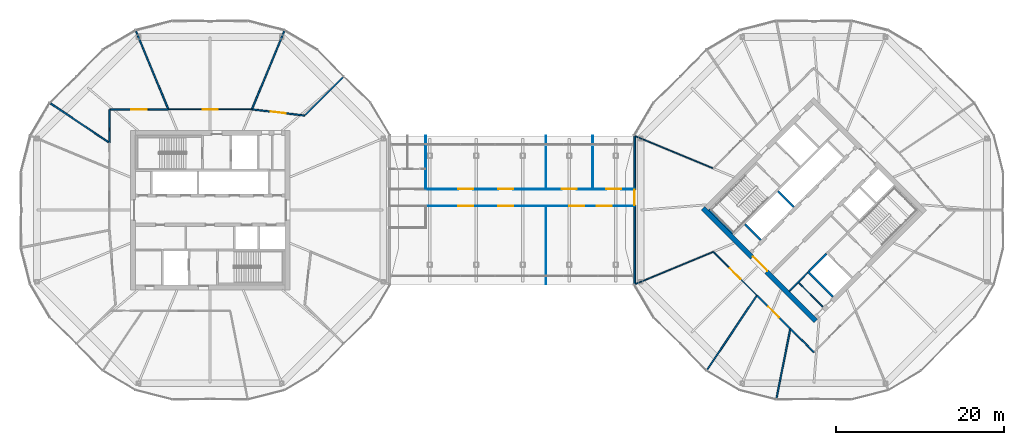
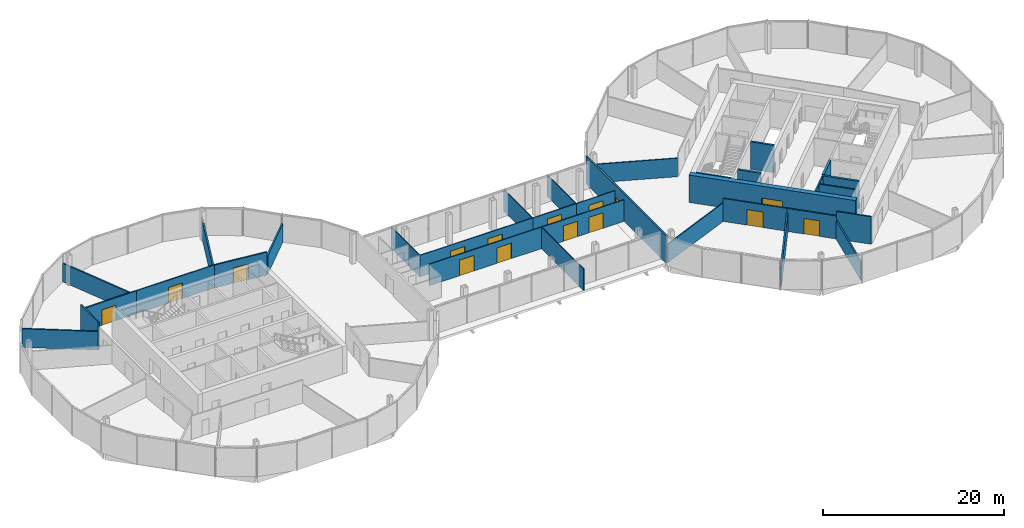
# One storey, part 21 of 25: 34 walls, 15 doors, 15 openings.
"""IFC4 building model written with IfcOpenShell, lengths in metres."""

import ifcopenshell
import ifcopenshell.guid

model = None  # the IFC model being written
_history = None  # IfcOwnerHistory: only IFC2X3 demands one
_inside = {}  # id of a spatial element -> (the spatial element, [elements in it])
_under = {}  # id of a project, library or spatial element -> (it, [spatial elements below it])
_declared = {}  # id of a project -> (the project, [libraries it declares])
_typed = {}  # id of a type object -> (the type object, [elements of that type])
_made_of = {}  # id of a material, layer set ... -> (it, [elements and type objects made of it])


def new_model(schema):
    """Start an empty IFC model of exactly this schema.

    Asked for "IFC4X3", IfcOpenShell would pick the latest addendum, in which some entities
    have other attributes; the version numbers below select the first issue.
    IFC2X3 requires an IfcOwnerHistory on every rooted entity: one is made here for all.
    """
    global model, _history
    if schema == "IFC4X3":
        model = ifcopenshell.file(schema_version=(4, 3, 0, 0))
    else:
        model = ifcopenshell.file(schema=schema)
    _inside.clear()
    _under.clear()
    _declared.clear()
    _typed.clear()
    _made_of.clear()
    _history = None
    if model.schema == "IFC2X3":
        org = make("IfcOrganization", Name="unknown")
        user = make(
            "IfcPersonAndOrganization",
            ThePerson=make("IfcPerson", FamilyName="unknown"),
            TheOrganization=org,
        )
        app = make(
            "IfcApplication",
            ApplicationDeveloper=org,
            Version="unknown",
            ApplicationFullName="unknown",
            ApplicationIdentifier="unknown",
        )
        _history = make(
            "IfcOwnerHistory",
            OwningUser=user,
            OwningApplication=app,
            ChangeAction="ADDED",
            CreationDate=0,
        )
    return model


def make(cls, **values):
    """One entity of the class cls with the attributes given. An attribute that is None is left unset."""
    return model.create_entity(
        cls, **{name: value for name, value in values.items() if value is not None}
    )


def rooted(cls, **values):
    """An entity with a GlobalId (a new one), such as an element, a storey or a relation."""
    return make(cls, GlobalId=ifcopenshell.guid.new(), OwnerHistory=_history, **values)


def si_unit(unit_type, name, prefix=None):
    """IfcSIUnit, for example si_unit("LENGTHUNIT", "METRE", prefix="MILLI")."""
    return make("IfcSIUnit", UnitType=unit_type, Prefix=prefix, Name=name)


def assignment(units):
    """IfcUnitAssignment: the units of a project."""
    return None if units is None else make("IfcUnitAssignment", Units=units)


def point(xyz):
    """IfcCartesianPoint."""
    return None if xyz is None else make("IfcCartesianPoint", Coordinates=xyz)


def direction(xyz):
    """IfcDirection."""
    return None if xyz is None else make("IfcDirection", DirectionRatios=xyz)


def frame(location, z_axis=None, x_axis=None):
    """IfcAxis2Placement3D, a coordinate frame: its origin and axes. An axis left out is left unset."""
    return make(
        "IfcAxis2Placement3D",
        Location=point(location),
        Axis=direction(z_axis),
        RefDirection=direction(x_axis),
    )


def frame_2d(location, x_axis=None):
    """IfcAxis2Placement2D, a coordinate frame in the plane: its origin and x axis."""
    return make(
        "IfcAxis2Placement2D", Location=point(location), RefDirection=direction(x_axis)
    )


def origin():
    """The frame at (0, 0, 0) with its axes left unset."""
    return frame((0.0, 0.0, 0.0))


def place(relative_to, where):
    """IfcLocalPlacement: puts the frame where relative to a parent placement (None: the world)."""
    return make(
        "IfcLocalPlacement", PlacementRelTo=relative_to, RelativePlacement=where
    )


def context(
    kind, dimensions, precision=None, world=None, true_north=None, identifier=None
):
    """IfcGeometricRepresentationContext, for example the 3D "Model" context."""
    return make(
        "IfcGeometricRepresentationContext",
        ContextIdentifier=identifier,
        ContextType=kind,
        CoordinateSpaceDimension=dimensions,
        Precision=precision,
        WorldCoordinateSystem=world,
        TrueNorth=true_north,
    )


def subcontext(parent, identifier, kind, view, scale=None):
    """IfcGeometricRepresentationSubContext, for example "Body" below "Model"."""
    return make(
        "IfcGeometricRepresentationSubContext",
        ContextIdentifier=identifier,
        ContextType=kind,
        ParentContext=parent,
        TargetScale=scale,
        TargetView=view,
    )


def project(units=None, contexts=None):
    """IfcProject with its units and contexts."""
    return rooted(
        "IfcProject",
        Name="project",
        RepresentationContexts=contexts,
        UnitsInContext=assignment(units),
    )


def spatial(cls, under=None, at=None, **own):
    """A site, building, storey or space (cls), placed at a placement, below another one or the project."""
    s = rooted(cls, ObjectPlacement=at, **own)
    if under is not None:
        _under.setdefault(under.id(), (under, []))[1].append(s)
    return s


def profile(cls, at=None, kind="AREA", **sizes):
    """A parametric profile (cls). Its sizes go by their IFC names, for example OverallWidth=200.0."""
    return make(cls, ProfileType=kind, Position=at, **sizes)


def rectangle(**sizes):
    """IfcRectangleProfileDef."""
    return profile("IfcRectangleProfileDef", **sizes)


def extrude(swept, where, along, depth):
    """IfcExtrudedAreaSolid: the profile swept, set in the frame where, extruded along a direction by depth."""
    return make(
        "IfcExtrudedAreaSolid",
        SweptArea=swept,
        Position=where,
        ExtrudedDirection=direction(along),
        Depth=depth,
    )


def shape(context_of_items, identifier, shape_type, items):
    """IfcShapeRepresentation: the items that make up one representation, for example the "Body"."""
    return make(
        "IfcShapeRepresentation",
        ContextOfItems=context_of_items,
        RepresentationIdentifier=identifier,
        RepresentationType=shape_type,
        Items=items,
    )


def material(Name=None, Category=None):
    """IfcMaterial."""
    return make("IfcMaterial", Name=Name, Category=Category)


def layer(
    of_material, thickness, ventilated=None, Name=None, Category=None, Priority=None
):
    """IfcMaterialLayer: one layer of a wall or slab, of a material (None: an air gap)."""
    return make(
        "IfcMaterialLayer",
        Material=of_material,
        LayerThickness=thickness,
        IsVentilated=ventilated,
        Name=Name,
        Category=Category,
        Priority=Priority,
    )


def layer_set(layers, Name=None):
    """IfcMaterialLayerSet."""
    return make("IfcMaterialLayerSet", MaterialLayers=layers, LayerSetName=Name)


def made_of(thing, what):
    """Note that an element or type object is made of a material, layer set ...; save() writes the relation."""
    if what is not None:
        _made_of.setdefault(what.id(), (what, []))[1].append(thing)
    return thing


def type_object(cls, material=None, **own):
    """A type object (cls), such as IfcWallType, which elements share."""
    return made_of(rooted(cls, **own), material)


def element(
    cls,
    number,
    at=None,
    inside=None,
    cuts=None,
    type_object=None,
    material=None,
    context=None,
    identifier="Body",
    shape_type=None,
    held_by="IfcProductDefinitionShape",
    body=None,
    shapes=None,
    **own,
):
    """One element of the class cls, such as IfcWall. Its Tag is "e" and its number.

    at: its placement. inside: the storey or other place that contains it. cuts: it is an
    opening in that element (IfcRelVoidsElement). A single representation is given by context,
    identifier, shape_type and body (its items); several are given by shapes. held_by: the class
    of the entity that holds the representations. save() writes the other relations.
    """
    e = rooted(cls, Tag="e%d" % number, ObjectPlacement=at, **own)
    if body is not None:
        shapes = [shape(context, identifier, shape_type, body)]
    if shapes is not None:
        e.Representation = make(held_by, Representations=shapes)
    if inside is not None:
        _inside.setdefault(inside.id(), (inside, []))[1].append(e)
    if cuts is not None:
        rooted(
            "IfcRelVoidsElement", RelatingBuildingElement=cuts, RelatedOpeningElement=e
        )
    if type_object is not None:
        _typed.setdefault(type_object.id(), (type_object, []))[1].append(e)
    return made_of(e, material)


def fill(opening, filler):
    """IfcRelFillsElement: the door or window that sits in an opening."""
    return rooted(
        "IfcRelFillsElement",
        RelatingOpeningElement=opening,
        RelatedBuildingElement=filler,
    )


def aggregate(whole, parts):
    """IfcRelAggregates: a whole, such as a stair, and the parts it consists of."""
    return rooted("IfcRelAggregates", RelatingObject=whole, RelatedObjects=parts)


def save(model, path):
    """Write the relations noted so far, then the file.

    IfcRelAggregates (storeys below a building ...), IfcRelContainedInSpatialStructure (elements
    in a storey), IfcRelDefinesByType, IfcRelAssociatesMaterial and IfcRelDeclares: one each for
    every whole, place, type object, material and project.
    """
    for whole, parts in _under.values():
        aggregate(whole, parts)
    for where, things in _inside.values():
        rooted(
            "IfcRelContainedInSpatialStructure",
            RelatedElements=things,
            RelatingStructure=where,
        )
    for kind, things in _typed.values():
        rooted("IfcRelDefinesByType", RelatedObjects=things, RelatingType=kind)
    for what, things in _made_of.values():
        rooted("IfcRelAssociatesMaterial", RelatedObjects=things, RelatingMaterial=what)
    for by, libraries in _declared.values():
        rooted("IfcRelDeclares", RelatingContext=by, RelatedDefinitions=libraries)
    model.write(path)


model = new_model("IFC4")

# Units and contexts
model_context = context("Model", 3, precision=1e-05, world=origin(), true_north=direction((0.0, 1.0)))
body_context = subcontext(model_context, "Body", "Model", "MODEL_VIEW")
ifc_project = project(units=[si_unit("LENGTHUNIT", "METRE"), si_unit("AREAUNIT", "SQUARE_METRE"), si_unit("VOLUMEUNIT", "CUBIC_METRE"), si_unit("PLANEANGLEUNIT", "RADIAN"), si_unit("MASSUNIT", "GRAM", prefix="KILO")], contexts=[model_context])

# Site, building, storey
site_placement = place(None, origin())
site = spatial("IfcSite", under=ifc_project, at=site_placement, CompositionType="ELEMENT")
building_placement = place(site_placement, origin())
building = spatial("IfcBuilding", under=site, at=building_placement, Name="Ogive Gate Towers", CompositionType="ELEMENT")
storey_placement = place(building_placement, frame((0.0, 0.0, 152.800048828125)))
storey = spatial("IfcBuildingStorey", under=building, at=storey_placement, Name="L36", CompositionType="ELEMENT", Elevation=152.800048828125)

# Walls
ifc_material_1 = material(Name="Gypsum board acoustic partition")
ifc_layer_1 = layer(ifc_material_1, 0.175048828125)
ifc_layer_set_1 = layer_set([ifc_layer_1], Name="Acoustic partition 175")
wall_type_1 = type_object("IfcWallType", Name="Acoustic partition 175", PredefinedType="PARTITIONING", material=ifc_layer_set_1)
wall_1_placement = place(storey_placement, frame((-20.140380859375, 15.859619140625, 0.0), z_axis=(0.0, 0.0, 1.0), x_axis=(-0.707106781187, -0.707106781187, 0.0)))
element("IfcWall", 1, at=wall_1_placement, inside=storey, type_object=wall_type_1, Name="Partition T1-L36-001", PredefinedType="PARTITIONING", context=body_context, shape_type="SweptSolid", body=[
    extrude(rectangle(XDim=6.3916015625, YDim=0.175048828125, at=frame_2d((3.19580078125, 0.0))), origin(), (0.0, 0.0, 1.0), 2.5),
])
for number, where, z_axis, x_axis, name in (
    (2, (-27.148681640625, 21.369384765625, 0.0), (0.0, 0.0, 1.0), (-0.382668881355, -0.923885559603, 0.0), "Partition T1-L36-002"),
    (3, (-44.851318359375, 21.369384765625, 0.0), (0.0, 0.0, 1.0), (0.382668881355, -0.923885559603, 0.0), "Partition T1-L36-003"),
):
    element("IfcWall", number, at=place(storey_placement, frame(where, z_axis=z_axis, x_axis=x_axis)), inside=storey, type_object=wall_type_1, Name=name, PredefinedType="PARTITIONING", context=body_context, shape_type="SweptSolid", body=[
        extrude(rectangle(XDim=10.04150390625, YDim=0.175048828125, at=frame_2d((5.020751953125, 0.0))), origin(), (0.0, 0.0, 1.0), 2.5),
    ])
wall_2_placement = place(storey_placement, frame((-55.060791015625, 12.74560546875, 0.0), z_axis=(0.0, 0.0, 1.0), x_axis=(0.831270653134, -0.5558678811, 0.0)))
element("IfcWall", 4, at=wall_2_placement, inside=storey, type_object=wall_type_1, Name="Partition T1-L36-004", PredefinedType="PARTITIONING", context=body_context, shape_type="SweptSolid", body=[
    extrude(rectangle(XDim=8.391357421875, YDim=0.175048828125, at=frame_2d((4.19580078125, 0.0))), origin(), (0.0, 0.0, 1.0), 2.5),
])

# Wall, opening, door
wall_3_placement = place(storey_placement, frame((-24.7216796875, 11.2783203125, 0.0), z_axis=(0.0, 0.0, 1.0), x_axis=(-0.993302862761, 0.1155397024, 0.0)))
wall_3 = element("IfcWall", 5, at=wall_3_placement, inside=storey, type_object=wall_type_1, Name="Partition T1-L36-012", PredefinedType="PARTITIONING", context=body_context, shape_type="SweptSolid", body=[
    extrude(rectangle(XDim=6.345458984375, YDim=0.175048828125, at=frame_2d((3.1728515625, 0.0))), origin(), (0.0, 0.0, 1.0), 3.099853515625),
])
opening_1_placement = place(wall_3_placement, frame((2.27294921875, 0.0, 0.0)))
opening_1 = element("IfcOpeningElement", 6, at=opening_1_placement, cuts=wall_3, Name="Opening T1-L36-D01", PredefinedType="OPENING", context=body_context, shape_type="SweptSolid", body=[
    extrude(rectangle(XDim=1.800048828125, YDim=2.10009765625, at=frame_2d((0.89990234375, 1.050048828125))), frame((0.0, 0.09765625, 0.0), z_axis=(0.0, -1.0, 0.0), x_axis=(1.0, 0.0, 0.0)), (0.0, 0.0, 1.0), 0.195068359375),
])
ifc_material_2 = material(Name="Timber door", Category="wood")
door_type_1 = type_object("IfcDoorType", Name="Door pair 1800", OperationType="NOTDEFINED", PredefinedType="DOOR", material=ifc_material_2)
door_1_placement = place(opening_1_placement, origin())
door_1 = element("IfcDoor", 7, at=door_1_placement, inside=storey, type_object=door_type_1, Name="Door T1-L36-D01", OperationType="DOUBLE_DOOR_DOUBLE_SWING", OverallHeight=2.10009765625, OverallWidth=1.800048828125, PredefinedType="DOOR", context=body_context, shape_type="SweptSolid", body=[
    extrude(rectangle(XDim=1.800048828125, YDim=2.10009765625, at=frame_2d((0.89990234375, 1.050048828125))), frame((0.0, 0.02490234375, 0.0), z_axis=(0.0, -1.0, 0.0), x_axis=(1.0, 0.0, 0.0)), (0.0, 0.0, 1.0), 0.050048828125),
])
fill(opening_1, door_1)

wall_4_placement = place(storey_placement, frame((-40.975341796875, 12.011474609375, 0.0), z_axis=(0.0, 0.0, 1.0), x_axis=(-0.99998989232, -0.004496138026, 0.0)))
wall_4 = element("IfcWall", 8, at=wall_4_placement, inside=storey, type_object=wall_type_1, Name="Partition T1-L36-014", PredefinedType="PARTITIONING", context=body_context, shape_type="SweptSolid", body=[
    extrude(rectangle(XDim=7.004638671875, YDim=0.175048828125, at=frame_2d((3.50244140625, 0.0))), origin(), (0.0, 0.0, 1.0), 3.099853515625),
])
opening_2_placement = place(wall_4_placement, frame((2.60205078125, 0.0, 0.0)))
opening_2 = element("IfcOpeningElement", 9, at=opening_2_placement, cuts=wall_4, Name="Opening T1-L36-D03", PredefinedType="OPENING", context=body_context, shape_type="SweptSolid", body=[
    extrude(rectangle(XDim=1.800048828125, YDim=2.10009765625, at=frame_2d((0.89990234375, 1.050048828125))), frame((0.0, 0.09765625, 0.0), z_axis=(0.0, -1.0, 0.0), x_axis=(1.0, 0.0, 0.0)), (0.0, 0.0, 1.0), 0.195068359375),
])
door_2_placement = place(opening_2_placement, origin())
door_2 = element("IfcDoor", 10, at=door_2_placement, inside=storey, type_object=door_type_1, Name="Door T1-L36-D03", OperationType="DOUBLE_DOOR_DOUBLE_SWING", OverallHeight=2.10009765625, OverallWidth=1.800048828125, PredefinedType="DOOR", context=body_context, shape_type="SweptSolid", body=[
    extrude(rectangle(XDim=1.800048828125, YDim=2.10009765625, at=frame_2d((0.89990234375, 1.050048828125))), frame((0.0, 0.02490234375, 0.0), z_axis=(0.0, -1.0, 0.0), x_axis=(1.0, 0.0, 0.0)), (0.0, 0.0, 1.0), 0.050048828125),
])
fill(opening_2, door_2)

# Walls
wall_5_placement = place(storey_placement, frame((-47.97998046875, 11.97998046875, 0.0), z_axis=(0.0, 0.0, 1.0), x_axis=(-0.00822533866, -0.99996617133, 0.0)))
element("IfcWall", 11, at=wall_5_placement, inside=storey, type_object=wall_type_1, Name="Partition T1-L36-015", PredefinedType="PARTITIONING", context=body_context, shape_type="SweptSolid", body=[
    extrude(rectangle(XDim=3.94775390625, YDim=0.175048828125, at=frame_2d((1.973876953125, 0.0))), origin(), (0.0, 0.0, 1.0), 3.699951171875),
])
wall_6_placement = place(storey_placement, frame((23.25439453125, -19.060791015625, 0.0), z_axis=(0.0, 0.0, 1.0), x_axis=(0.555873003518, 0.831267227768, 0.0)))
element("IfcWall", 12, at=wall_6_placement, inside=storey, type_object=wall_type_1, Name="Partition T2-L36-008", PredefinedType="PARTITIONING", context=body_context, shape_type="SweptSolid", body=[
    extrude(rectangle(XDim=10.611572265625, YDim=0.175048828125, at=frame_2d((5.3056640625, 0.0))), origin(), (0.0, 0.0, 1.0), 2.5),
])
wall_7_placement = place(storey_placement, frame((31.5341796875, -22.490478515625, 0.0), z_axis=(0.0, 0.0, 1.0), x_axis=(0.194781953028, 0.980846568417, 0.0)))
element("IfcWall", 13, at=wall_7_placement, inside=storey, type_object=wall_type_1, Name="Partition T2-L36-009", PredefinedType="PARTITIONING", context=body_context, shape_type="SweptSolid", body=[
    extrude(rectangle(XDim=8.41162109375, YDim=0.175048828125, at=frame_2d((4.205810546875, 0.0))), origin(), (0.0, 0.0, 1.0), 2.5),
])

# Wall, opening, door
wall_8_placement = place(storey_placement, frame((29.20166015625, -10.1669921875, 0.0), z_axis=(0.0, 0.0, 1.0), x_axis=(0.707150072997, -0.707063486726, 0.0)))
wall_8 = element("IfcWall", 14, at=wall_8_placement, inside=storey, type_object=wall_type_1, Name="Partition T2-L36-013", PredefinedType="PARTITIONING", context=body_context, shape_type="SweptSolid", body=[
    extrude(rectangle(XDim=5.63916015625, YDim=0.175048828125, at=frame_2d((2.819580078125, 0.0))), origin(), (0.0, 0.0, 1.0), 3.099853515625),
])
opening_3_placement = place(wall_8_placement, frame((1.919921875, 0.0, 0.0)))
opening_3 = element("IfcOpeningElement", 15, at=opening_3_placement, cuts=wall_8, Name="Opening T2-L36-D02", PredefinedType="OPENING", context=body_context, shape_type="SweptSolid", body=[
    extrude(rectangle(XDim=1.800048828125, YDim=2.10009765625, at=frame_2d((0.89990234375, 1.050048828125))), frame((0.0, 0.09765625, 0.0), z_axis=(0.0, -1.0, 0.0), x_axis=(1.0, 0.0, 0.0)), (0.0, 0.0, 1.0), 0.195068359375),
])
door_3_placement = place(opening_3_placement, origin())
door_3 = element("IfcDoor", 16, at=door_3_placement, inside=storey, type_object=door_type_1, Name="Door T2-L36-D02", OperationType="DOUBLE_DOOR_DOUBLE_SWING", OverallHeight=2.10009765625, OverallWidth=1.800048828125, PredefinedType="DOOR", context=body_context, shape_type="SweptSolid", body=[
    extrude(rectangle(XDim=1.800048828125, YDim=2.10009765625, at=frame_2d((0.89990234375, 1.050048828125))), frame((0.0, 0.02490234375, 0.0), z_axis=(0.0, -1.0, 0.0), x_axis=(1.0, 0.0, 0.0)), (0.0, 0.0, 1.0), 0.050048828125),
])
fill(opening_3, door_3)

# Wall
wall_9_placement = place(storey_placement, frame((33.189453125, -14.154296875, 0.0), z_axis=(0.0, 0.0, 1.0), x_axis=(0.709937882201, -0.704264299404, 0.0)))
element("IfcWall", 17, at=wall_9_placement, inside=storey, type_object=wall_type_1, Name="Partition T2-L36-015", PredefinedType="PARTITIONING", context=body_context, shape_type="SweptSolid", body=[
    extrude(rectangle(XDim=3.958984375, YDim=0.175048828125, at=frame_2d((1.9794921875, 0.0))), origin(), (0.0, 0.0, 1.0), 3.699951171875),
])

# Wall, opening, door
ifc_material_3 = material(Name="Concrete C60/75", Category="concrete")
ifc_layer_2 = layer(ifc_material_3, 0.60009765625)
ifc_layer_set_2 = layer_set([ifc_layer_2], Name="Core wall 600 mm")
wall_type_2 = type_object("IfcWallType", Name="Core wall 600 mm", PredefinedType="SHEAR", material=ifc_layer_set_2)
wall_10_placement = place(storey_placement, frame((36.212158203125, -13.222900390625, 0.0), z_axis=(0.0, 0.0, 1.0), x_axis=(-0.707106781187, 0.707106781187, 0.0)))
wall_10 = element("IfcWall", 18, at=wall_10_placement, inside=storey, type_object=wall_type_2, Name="T2 L36 Core wall 600 mm", PredefinedType="SHEAR", context=body_context, shape_type="SweptSolid", body=[
    extrude(rectangle(XDim=19.0, YDim=0.60009765625, at=frame_2d((9.5, 0.0))), origin(), (0.0, 0.0, 1.0), 3.699951171875),
])
opening_4_placement = place(wall_10_placement, frame((8.300048828125, 0.0, 0.0)))
opening_4 = element("IfcOpeningElement", 19, at=opening_4_placement, cuts=wall_10, Name="Opening KD-T2-L36-01", PredefinedType="OPENING", context=body_context, shape_type="SweptSolid", body=[
    extrude(rectangle(XDim=2.39990234375, YDim=2.10009765625, at=frame_2d((1.199951171875, 1.050048828125))), frame((0.0, 0.31005859375, 0.0), z_axis=(0.0, -1.0, 0.0), x_axis=(1.0, 0.0, 0.0)), (0.0, 0.0, 1.0), 0.6201171875),
])
ifc_material_4 = material(Name="Steel fire door", Category="steel")
door_type_2 = type_object("IfcDoorType", Name="Core double door FD60S 2400 x 2100", OperationType="DOUBLE_DOOR_SINGLE_SWING", PredefinedType="DOOR", material=ifc_material_4)
door_4_placement = place(opening_4_placement, origin())
door_4 = element("IfcDoor", 20, at=door_4_placement, inside=storey, type_object=door_type_2, Name="T2 L36 Core door double", OperationType="DOUBLE_DOOR_SINGLE_SWING", OverallHeight=2.10009765625, OverallWidth=2.39990234375, PredefinedType="DOOR", context=body_context, shape_type="SweptSolid", body=[
    extrude(rectangle(XDim=2.39990234375, YDim=2.10009765625, at=frame_2d((1.199951171875, 1.050048828125))), frame((0.0, -0.125, 0.0), z_axis=(0.0, -1.0, 0.0), x_axis=(1.0, 0.0, 0.0)), (0.0, 0.0, 1.0), 0.050048828125),
])
fill(opening_4, door_4)

ifc_material_5 = material(Name="Gypsum board partition")
ifc_layer_3 = layer(ifc_material_5, 0.125)
ifc_layer_set_3 = layer_set([ifc_layer_3], Name="Partition 125")
wall_type_3 = type_object("IfcWallType", Name="Partition 125", PredefinedType="PARTITIONING", material=ifc_layer_set_3)
wall_11_placement = place(storey_placement, frame((-31.024658203125, 12.011474609375, 0.0), z_axis=(0.0, 0.0, 1.0), x_axis=(-1.0, 0.0, 0.0)))
wall_11 = element("IfcWall", 21, at=wall_11_placement, inside=storey, type_object=wall_type_3, Name="Partition T1-L36-013", PredefinedType="PARTITIONING", context=body_context, shape_type="SweptSolid", body=[
    extrude(rectangle(XDim=9.95068359375, YDim=0.125, at=frame_2d((4.975341796875, 0.0))), origin(), (0.0, 0.0, 1.0), 3.099853515625),
])
opening_5_placement = place(wall_11_placement, frame((4.074951171875, 0.0, 0.0)))
opening_5 = element("IfcOpeningElement", 22, at=opening_5_placement, cuts=wall_11, Name="Opening T1-L36-D02", PredefinedType="OPENING", context=body_context, shape_type="SweptSolid", body=[
    extrude(rectangle(XDim=1.800048828125, YDim=2.10009765625, at=frame_2d((0.89990234375, 1.050048828125))), frame((0.0, 0.072509765625, 0.0), z_axis=(0.0, -1.0, 0.0), x_axis=(1.0, 0.0, 0.0)), (0.0, 0.0, 1.0), 0.14501953125),
])
door_5_placement = place(opening_5_placement, origin())
door_5 = element("IfcDoor", 23, at=door_5_placement, inside=storey, type_object=door_type_1, Name="Door T1-L36-D02", OperationType="DOUBLE_DOOR_DOUBLE_SWING", OverallHeight=2.10009765625, OverallWidth=1.800048828125, PredefinedType="DOOR", context=body_context, shape_type="SweptSolid", body=[
    extrude(rectangle(XDim=1.800048828125, YDim=2.10009765625, at=frame_2d((0.89990234375, 1.050048828125))), frame((0.0, 0.02490234375, 0.0), z_axis=(0.0, -1.0, 0.0), x_axis=(1.0, 0.0, 0.0)), (0.0, 0.0, 1.0), 0.050048828125),
])
fill(opening_5, door_5)

# Walls
for number, where, z_axis, x_axis, name in (
    (24, (14.730712890625, 8.81005859375, 0.0), (0.0, 0.0, 1.0), (0.923873389605, -0.382698262317, 0.0), "Partition T2-L36-006"),
    (25, (14.730712890625, -8.81005859375, 0.0), (0.0, 0.0, 1.0), (0.923873389605, 0.382698262317, 0.0), "Partition T2-L36-007"),
):
    element("IfcWall", number, at=place(storey_placement, frame(where, z_axis=z_axis, x_axis=x_axis)), inside=storey, type_object=wall_type_3, Name=name, PredefinedType="PARTITIONING", context=body_context, shape_type="SweptSolid", body=[
        extrude(rectangle(XDim=9.97802734375, YDim=0.125, at=frame_2d((4.989013671875, 0.0))), origin(), (0.0, 0.0, 1.0), 2.5),
    ])

# Wall, opening, door
wall_12_placement = place(storey_placement, frame((24.007080078125, -4.967529296875, 0.0), z_axis=(0.0, 0.0, 1.0), x_axis=(0.706774525447, -0.707438880879, 0.0)))
wall_12 = element("IfcWall", 26, at=wall_12_placement, inside=storey, type_object=wall_type_3, Name="Partition T2-L36-012", PredefinedType="PARTITIONING", context=body_context, shape_type="SweptSolid", body=[
    extrude(rectangle(XDim=7.349609375, YDim=0.125, at=frame_2d((3.6748046875, 0.0))), origin(), (0.0, 0.0, 1.0), 3.099853515625),
])
opening_6_placement = place(wall_12_placement, frame((2.77490234375, 0.0, 0.0)))
opening_6 = element("IfcOpeningElement", 27, at=opening_6_placement, cuts=wall_12, Name="Opening T2-L36-D01", PredefinedType="OPENING", context=body_context, shape_type="SweptSolid", body=[
    extrude(rectangle(XDim=1.800048828125, YDim=2.10009765625, at=frame_2d((0.89990234375, 1.050048828125))), frame((0.0, 0.072509765625, 0.0), z_axis=(0.0, -1.0, 0.0), x_axis=(1.0, 0.0, 0.0)), (0.0, 0.0, 1.0), 0.14501953125),
])
door_6_placement = place(opening_6_placement, origin())
door_6 = element("IfcDoor", 28, at=door_6_placement, inside=storey, type_object=door_type_1, Name="Door T2-L36-D01", OperationType="DOUBLE_DOOR_DOUBLE_SWING", OverallHeight=2.10009765625, OverallWidth=1.800048828125, PredefinedType="DOOR", context=body_context, shape_type="SweptSolid", body=[
    extrude(rectangle(XDim=1.800048828125, YDim=2.10009765625, at=frame_2d((0.89990234375, 1.050048828125))), frame((0.0, 0.02490234375, 0.0), z_axis=(0.0, -1.0, 0.0), x_axis=(1.0, 0.0, 0.0)), (0.0, 0.0, 1.0), 0.050048828125),
])
fill(opening_6, door_6)

# Wall, openings, doors
ifc_layer_4 = layer(ifc_material_5, 0.10009765625)
ifc_layer_set_4 = layer_set([ifc_layer_4], Name="Partition wall 100")
wall_type_4 = type_object("IfcWallType", Name="Partition wall 100", PredefinedType="PARTITIONING", material=ifc_layer_set_4)
wall_13_placement = place(storey_placement, frame((-10.280517578125, 2.5, 0.0), z_axis=(0.0, 0.0, 1.0), x_axis=(1.0, 0.0, 0.0)))
wall_13 = element("IfcWall", 29, at=wall_13_placement, inside=storey, type_object=wall_type_4, Name="L36 partition 003", PredefinedType="PARTITIONING", context=body_context, shape_type="SweptSolid", body=[
    extrude(rectangle(XDim=14.34130859375, YDim=0.10009765625, at=frame_2d((7.170654296875, 0.0))), origin(), (0.0, 0.0, 1.0), 2.89990234375),
])
opening_7_placement = place(wall_13_placement, frame((3.88232421875, 0.0, 0.0)))
opening_7 = element("IfcOpeningElement", 30, at=opening_7_placement, cuts=wall_13, Name="Opening PO272", PredefinedType="OPENING", context=body_context, shape_type="SweptSolid", body=[
    extrude(rectangle(XDim=1.800048828125, YDim=2.10009765625, at=frame_2d((0.89990234375, 1.050048828125))), frame((0.0, 0.06005859375, 0.0), z_axis=(0.0, -1.0, 0.0), x_axis=(1.0, 0.0, 0.0)), (0.0, 0.0, 1.0), 0.1201171875),
])
opening_8_placement = place(wall_13_placement, frame((8.65869140625, 0.0, 0.0)))
opening_8 = element("IfcOpeningElement", 31, at=opening_8_placement, cuts=wall_13, Name="Opening PO273", PredefinedType="OPENING", context=body_context, shape_type="SweptSolid", body=[
    extrude(rectangle(XDim=1.800048828125, YDim=2.10009765625, at=frame_2d((0.89990234375, 1.050048828125))), frame((0.0, 0.06005859375, 0.0), z_axis=(0.0, -1.0, 0.0), x_axis=(1.0, 0.0, 0.0)), (0.0, 0.0, 1.0), 0.1201171875),
])
door_type_3 = type_object("IfcDoorType", Name="Double door 1800 x 2100", OperationType="NOTDEFINED", PredefinedType="DOOR", material=ifc_material_2)
door_7_placement = place(opening_7_placement, origin())
door_7 = element("IfcDoor", 32, at=door_7_placement, inside=storey, type_object=door_type_3, Name="Door PO272", OperationType="DOUBLE_DOOR_DOUBLE_SWING", OverallHeight=2.10009765625, OverallWidth=1.800048828125, PredefinedType="DOOR", context=body_context, shape_type="SweptSolid", body=[
    extrude(rectangle(XDim=1.800048828125, YDim=2.10009765625, at=frame_2d((0.89990234375, 1.050048828125))), frame((0.0, 0.02490234375, 0.0), z_axis=(0.0, -1.0, 0.0), x_axis=(1.0, 0.0, 0.0)), (0.0, 0.0, 1.0), 0.050048828125),
])
fill(opening_7, door_7)
door_8_placement = place(opening_8_placement, origin())
door_8 = element("IfcDoor", 33, at=door_8_placement, inside=storey, type_object=door_type_3, Name="Door PO273", OperationType="DOUBLE_DOOR_DOUBLE_SWING", OverallHeight=2.10009765625, OverallWidth=1.800048828125, PredefinedType="DOOR", context=body_context, shape_type="SweptSolid", body=[
    extrude(rectangle(XDim=1.800048828125, YDim=2.10009765625, at=frame_2d((0.89990234375, 1.050048828125))), frame((0.0, 0.02490234375, 0.0), z_axis=(0.0, -1.0, 0.0), x_axis=(1.0, 0.0, 0.0)), (0.0, 0.0, 1.0), 0.050048828125),
])
fill(opening_8, door_8)

# Wall, opening, door
wall_14_placement = place(storey_placement, frame((4.060791015625, 2.5, 0.0), z_axis=(0.0, 0.0, 1.0), x_axis=(1.0, 0.0, 0.0)))
wall_14 = element("IfcWall", 34, at=wall_14_placement, inside=storey, type_object=wall_type_4, Name="L36 partition 004", PredefinedType="PARTITIONING", context=body_context, shape_type="SweptSolid", body=[
    extrude(rectangle(XDim=5.556396484375, YDim=0.10009765625, at=frame_2d((2.7783203125, 0.0))), origin(), (0.0, 0.0, 1.0), 2.89990234375),
])
opening_9_placement = place(wall_14_placement, frame((1.878173828125, 0.0, 0.0)))
opening_9 = element("IfcOpeningElement", 35, at=opening_9_placement, cuts=wall_14, Name="Opening PO274", PredefinedType="OPENING", context=body_context, shape_type="SweptSolid", body=[
    extrude(rectangle(XDim=1.800048828125, YDim=2.10009765625, at=frame_2d((0.89990234375, 1.050048828125))), frame((0.0, 0.06005859375, 0.0), z_axis=(0.0, -1.0, 0.0), x_axis=(1.0, 0.0, 0.0)), (0.0, 0.0, 1.0), 0.1201171875),
])
door_9_placement = place(opening_9_placement, origin())
door_9 = element("IfcDoor", 36, at=door_9_placement, inside=storey, type_object=door_type_3, Name="Door PO274", OperationType="DOUBLE_DOOR_DOUBLE_SWING", OverallHeight=2.10009765625, OverallWidth=1.800048828125, PredefinedType="DOOR", context=body_context, shape_type="SweptSolid", body=[
    extrude(rectangle(XDim=1.800048828125, YDim=2.10009765625, at=frame_2d((0.89990234375, 1.050048828125))), frame((0.0, 0.02490234375, 0.0), z_axis=(0.0, -1.0, 0.0), x_axis=(1.0, 0.0, 0.0)), (0.0, 0.0, 1.0), 0.050048828125),
])
fill(opening_9, door_9)

wall_15_placement = place(storey_placement, frame((9.6171875, 2.5, 0.0), z_axis=(0.0, 0.0, 1.0), x_axis=(1.0, 0.0, 0.0)))
wall_15 = element("IfcWall", 37, at=wall_15_placement, inside=storey, type_object=wall_type_4, Name="L36 partition 005", PredefinedType="PARTITIONING", context=body_context, shape_type="SweptSolid", body=[
    extrude(rectangle(XDim=5.013427734375, YDim=0.10009765625, at=frame_2d((2.5068359375, 0.0))), origin(), (0.0, 0.0, 1.0), 2.89990234375),
])
opening_10_placement = place(wall_15_placement, frame((1.606689453125, 0.0, 0.0)))
opening_10 = element("IfcOpeningElement", 38, at=opening_10_placement, cuts=wall_15, Name="Opening PO275", PredefinedType="OPENING", context=body_context, shape_type="SweptSolid", body=[
    extrude(rectangle(XDim=1.800048828125, YDim=2.10009765625, at=frame_2d((0.89990234375, 1.050048828125))), frame((0.0, 0.06005859375, 0.0), z_axis=(0.0, -1.0, 0.0), x_axis=(1.0, 0.0, 0.0)), (0.0, 0.0, 1.0), 0.1201171875),
])
door_10_placement = place(opening_10_placement, origin())
door_10 = element("IfcDoor", 39, at=door_10_placement, inside=storey, type_object=door_type_3, Name="Door PO275", OperationType="DOUBLE_DOOR_DOUBLE_SWING", OverallHeight=2.10009765625, OverallWidth=1.800048828125, PredefinedType="DOOR", context=body_context, shape_type="SweptSolid", body=[
    extrude(rectangle(XDim=1.800048828125, YDim=2.10009765625, at=frame_2d((0.89990234375, 1.050048828125))), frame((0.0, 0.02490234375, 0.0), z_axis=(0.0, -1.0, 0.0), x_axis=(1.0, 0.0, 0.0)), (0.0, 0.0, 1.0), 0.050048828125),
])
fill(opening_10, door_10)

# Wall, openings, doors
wall_16_placement = place(storey_placement, frame((-10.280517578125, 0.5, 0.0), z_axis=(0.0, 0.0, 1.0), x_axis=(1.0, 0.0, 0.0)))
wall_16 = element("IfcWall", 40, at=wall_16_placement, inside=storey, type_object=wall_type_4, Name="L36 partition 006", PredefinedType="PARTITIONING", context=body_context, shape_type="SweptSolid", body=[
    extrude(rectangle(XDim=14.34130859375, YDim=0.10009765625, at=frame_2d((7.170654296875, 0.0))), origin(), (0.0, 0.0, 1.0), 2.89990234375),
])
opening_11_placement = place(wall_16_placement, frame((3.88232421875, 0.0, 0.0)))
opening_11 = element("IfcOpeningElement", 41, at=opening_11_placement, cuts=wall_16, Name="Opening PO276", PredefinedType="OPENING", context=body_context, shape_type="SweptSolid", body=[
    extrude(rectangle(XDim=1.800048828125, YDim=2.10009765625, at=frame_2d((0.89990234375, 1.050048828125))), frame((0.0, 0.06005859375, 0.0), z_axis=(0.0, -1.0, 0.0), x_axis=(1.0, 0.0, 0.0)), (0.0, 0.0, 1.0), 0.1201171875),
])
opening_12_placement = place(wall_16_placement, frame((8.65869140625, 0.0, 0.0)))
opening_12 = element("IfcOpeningElement", 42, at=opening_12_placement, cuts=wall_16, Name="Opening PO277", PredefinedType="OPENING", context=body_context, shape_type="SweptSolid", body=[
    extrude(rectangle(XDim=1.800048828125, YDim=2.10009765625, at=frame_2d((0.89990234375, 1.050048828125))), frame((0.0, 0.06005859375, 0.0), z_axis=(0.0, -1.0, 0.0), x_axis=(1.0, 0.0, 0.0)), (0.0, 0.0, 1.0), 0.1201171875),
])
door_11_placement = place(opening_11_placement, origin())
door_11 = element("IfcDoor", 43, at=door_11_placement, inside=storey, type_object=door_type_3, Name="Door PO276", OperationType="DOUBLE_DOOR_DOUBLE_SWING", OverallHeight=2.10009765625, OverallWidth=1.800048828125, PredefinedType="DOOR", context=body_context, shape_type="SweptSolid", body=[
    extrude(rectangle(XDim=1.800048828125, YDim=2.10009765625, at=frame_2d((0.89990234375, 1.050048828125))), frame((0.0, 0.02490234375, 0.0), z_axis=(0.0, -1.0, 0.0), x_axis=(1.0, 0.0, 0.0)), (0.0, 0.0, 1.0), 0.050048828125),
])
fill(opening_11, door_11)
door_12_placement = place(opening_12_placement, origin())
door_12 = element("IfcDoor", 44, at=door_12_placement, inside=storey, type_object=door_type_3, Name="Door PO277", OperationType="DOUBLE_DOOR_DOUBLE_SWING", OverallHeight=2.10009765625, OverallWidth=1.800048828125, PredefinedType="DOOR", context=body_context, shape_type="SweptSolid", body=[
    extrude(rectangle(XDim=1.800048828125, YDim=2.10009765625, at=frame_2d((0.89990234375, 1.050048828125))), frame((0.0, 0.02490234375, 0.0), z_axis=(0.0, -1.0, 0.0), x_axis=(1.0, 0.0, 0.0)), (0.0, 0.0, 1.0), 0.050048828125),
])
fill(opening_12, door_12)

wall_17_placement = place(storey_placement, frame((4.060791015625, 0.5, 0.0), z_axis=(0.0, 0.0, 1.0), x_axis=(1.0, 0.0, 0.0)))
wall_17 = element("IfcWall", 45, at=wall_17_placement, inside=storey, type_object=wall_type_4, Name="L36 partition 007", PredefinedType="PARTITIONING", context=body_context, shape_type="SweptSolid", body=[
    extrude(rectangle(XDim=10.56982421875, YDim=0.10009765625, at=frame_2d((5.284912109375, 0.0))), origin(), (0.0, 0.0, 1.0), 2.89990234375),
])
opening_13_placement = place(wall_17_placement, frame((2.7509765625, 0.0, 0.0)))
opening_13 = element("IfcOpeningElement", 46, at=opening_13_placement, cuts=wall_17, Name="Opening PO278", PredefinedType="OPENING", context=body_context, shape_type="SweptSolid", body=[
    extrude(rectangle(XDim=1.800048828125, YDim=2.10009765625, at=frame_2d((0.89990234375, 1.050048828125))), frame((0.0, 0.06005859375, 0.0), z_axis=(0.0, -1.0, 0.0), x_axis=(1.0, 0.0, 0.0)), (0.0, 0.0, 1.0), 0.1201171875),
])
opening_14_placement = place(wall_17_placement, frame((6.01904296875, 0.0, 0.0)))
opening_14 = element("IfcOpeningElement", 47, at=opening_14_placement, cuts=wall_17, Name="Opening PO279", PredefinedType="OPENING", context=body_context, shape_type="SweptSolid", body=[
    extrude(rectangle(XDim=1.800048828125, YDim=2.10009765625, at=frame_2d((0.89990234375, 1.050048828125))), frame((0.0, 0.06005859375, 0.0), z_axis=(0.0, -1.0, 0.0), x_axis=(1.0, 0.0, 0.0)), (0.0, 0.0, 1.0), 0.1201171875),
])
door_13_placement = place(opening_13_placement, origin())
door_13 = element("IfcDoor", 48, at=door_13_placement, inside=storey, type_object=door_type_3, Name="Door PO278", OperationType="DOUBLE_DOOR_DOUBLE_SWING", OverallHeight=2.10009765625, OverallWidth=1.800048828125, PredefinedType="DOOR", context=body_context, shape_type="SweptSolid", body=[
    extrude(rectangle(XDim=1.800048828125, YDim=2.10009765625, at=frame_2d((0.89990234375, 1.050048828125))), frame((0.0, 0.02490234375, 0.0), z_axis=(0.0, -1.0, 0.0), x_axis=(1.0, 0.0, 0.0)), (0.0, 0.0, 1.0), 0.050048828125),
])
fill(opening_13, door_13)
door_14_placement = place(opening_14_placement, origin())
door_14 = element("IfcDoor", 49, at=door_14_placement, inside=storey, type_object=door_type_3, Name="Door PO279", OperationType="DOUBLE_DOOR_DOUBLE_SWING", OverallHeight=2.10009765625, OverallWidth=1.800048828125, PredefinedType="DOOR", context=body_context, shape_type="SweptSolid", body=[
    extrude(rectangle(XDim=1.800048828125, YDim=2.10009765625, at=frame_2d((0.89990234375, 1.050048828125))), frame((0.0, 0.02490234375, 0.0), z_axis=(0.0, -1.0, 0.0), x_axis=(1.0, 0.0, 0.0)), (0.0, 0.0, 1.0), 0.050048828125),
])
fill(opening_14, door_14)

# Walls
wall_18_placement = place(storey_placement, frame((-10.280517578125, 2.550048828125, 0.0), z_axis=(0.0, 0.0, 1.0), x_axis=(0.0, 1.0, 0.0)))
element("IfcWall", 50, at=wall_18_placement, inside=storey, type_object=wall_type_4, Name="L36 partition 010", PredefinedType="PARTITIONING", context=body_context, shape_type="SweptSolid", body=[
    extrude(rectangle(XDim=2.349853515625, YDim=0.10009765625, at=frame_2d((1.1748046875, 0.0))), origin(), (0.0, 0.0, 1.0), 2.89990234375),
])
wall_19_placement = place(storey_placement, frame((-10.280517578125, 4.89990234375, 0.0), z_axis=(0.0, 0.0, 1.0), x_axis=(0.0, 1.0, 0.0)))
element("IfcWall", 51, at=wall_19_placement, inside=storey, type_object=wall_type_4, Name="L36 partition 012", PredefinedType="PARTITIONING", context=body_context, shape_type="SweptSolid", body=[
    extrude(rectangle(XDim=3.95166015625, YDim=0.10009765625, at=frame_2d((1.975830078125, 0.0))), origin(), (0.0, 0.0, 1.0), 2.89990234375),
])
for number, where, z_axis, x_axis, name in (
    (52, (4.060791015625, 2.550048828125, 0.0), (0.0, 0.0, 1.0), (0.0, 1.0, 0.0), "L36 partition 015"),
    (53, (9.6171875, 2.550048828125, 0.0), (0.0, 0.0, 1.0), (0.0, 1.0, 0.0), "L36 partition 016"),
):
    element("IfcWall", number, at=place(storey_placement, frame(where, z_axis=z_axis, x_axis=x_axis)), inside=storey, type_object=wall_type_4, Name=name, PredefinedType="PARTITIONING", context=body_context, shape_type="SweptSolid", body=[
        extrude(rectangle(XDim=6.301513671875, YDim=0.10009765625, at=frame_2d((3.15087890625, 0.0))), origin(), (0.0, 0.0, 1.0), 2.89990234375),
    ])
wall_20_placement = place(storey_placement, frame((4.060791015625, -8.8515625, 0.0), z_axis=(0.0, 0.0, 1.0), x_axis=(0.0, 1.0, 0.0)))
element("IfcWall", 54, at=wall_20_placement, inside=storey, type_object=wall_type_4, Name="L36 partition 017", PredefinedType="PARTITIONING", context=body_context, shape_type="SweptSolid", body=[
    extrude(rectangle(XDim=9.301513671875, YDim=0.10009765625, at=frame_2d((4.65087890625, 0.0))), origin(), (0.0, 0.0, 1.0), 2.89990234375),
])

# Wall, opening, door
ifc_material_6 = material(Name="Masonry block wall", Category="masonry")
ifc_layer_5 = layer(ifc_material_6, 0.199951171875)
ifc_layer_set_5 = layer_set([ifc_layer_5], Name="Partition wall 200")
wall_type_5 = type_object("IfcWallType", Name="Partition wall 200", PredefinedType="PARTITIONING", material=ifc_layer_set_5)
wall_21_placement = place(storey_placement, frame((14.630615234375, -8.8515625, 0.0), z_axis=(0.0, 0.0, 1.0), x_axis=(0.0, 1.0, 0.0)))
wall_21 = element("IfcWall", 55, at=wall_21_placement, inside=storey, type_object=wall_type_5, Name="L36 wall 019", PredefinedType="PARTITIONING", context=body_context, shape_type="SweptSolid", body=[
    extrude(rectangle(XDim=17.703125, YDim=0.199951171875, at=frame_2d((8.8515625, 0.0))), origin(), (0.0, 0.0, 1.0), 3.699951171875),
])
opening_15_placement = place(wall_21_placement, frame((9.451416015625, 0.0, 0.0)))
opening_15 = element("IfcOpeningElement", 56, at=opening_15_placement, cuts=wall_21, Name="Opening PO281", PredefinedType="OPENING", context=body_context, shape_type="SweptSolid", body=[
    extrude(rectangle(XDim=1.800048828125, YDim=2.10009765625, at=frame_2d((0.89990234375, 1.050048828125))), frame((0.0, 0.10986328125, 0.0), z_axis=(0.0, -1.0, 0.0), x_axis=(1.0, 0.0, 0.0)), (0.0, 0.0, 1.0), 0.219970703125),
])
door_type_4 = type_object("IfcDoorType", Name="Interior fire double door FD120S 1800 x 2100", OperationType="NOTDEFINED", PredefinedType="DOOR", material=ifc_material_4)
door_15_placement = place(opening_15_placement, origin())
door_15 = element("IfcDoor", 57, at=door_15_placement, inside=storey, type_object=door_type_4, Name="Door PO281", OperationType="DOUBLE_DOOR_DOUBLE_SWING", OverallHeight=2.10009765625, OverallWidth=1.800048828125, PredefinedType="DOOR", context=body_context, shape_type="SweptSolid", body=[
    extrude(rectangle(XDim=1.800048828125, YDim=2.10009765625, at=frame_2d((0.89990234375, 1.050048828125))), frame((0.0, 0.02490234375, 0.0), z_axis=(0.0, -1.0, 0.0), x_axis=(1.0, 0.0, 0.0)), (0.0, 0.0, 1.0), 0.050048828125),
])
fill(opening_15, door_15)

# Walls
ifc_layer_6 = layer(ifc_material_5, 0.14990234375)
ifc_layer_set_6 = layer_set([ifc_layer_6], Name="Room partition 150 mm")
wall_type_6 = type_object("IfcWallType", Name="Room partition 150 mm", PredefinedType="PARTITIONING", material=ifc_layer_set_6)
wall_22_placement = place(storey_placement, frame((33.0654296875, -9.652099609375, 0.0), z_axis=(0.0, 0.0, 1.0), x_axis=(0.707146476181, 0.707067083964, 0.0)))
element("IfcWall", 58, at=wall_22_placement, inside=storey, type_object=wall_type_6, Name="T2 L36 Room partition 150 mm", PredefinedType="PARTITIONING", context=body_context, shape_type="SweptSolid", body=[
    extrude(rectangle(XDim=3.0751953125, YDim=0.14990234375, at=frame_2d((1.53759765625, 0.0))), origin(), (0.0, 0.0, 1.0), 3.699951171875),
])
wall_23_placement = place(storey_placement, frame((37.060791015625, -11.52587890625, 0.0), z_axis=(0.0, 0.0, 1.0), x_axis=(-0.707106781187, 0.707106781187, 0.0)))
element("IfcWall", 59, at=wall_23_placement, inside=storey, type_object=wall_type_6, Name="T2 L36 Room partition 150 mm", PredefinedType="PARTITIONING", context=body_context, shape_type="SweptSolid", body=[
    extrude(rectangle(XDim=4.0751953125, YDim=0.14990234375, at=frame_2d((2.03759765625, 0.0))), origin(), (0.0, 0.0, 1.0), 3.699951171875),
])
ifc_layer_7 = layer(ifc_material_3, 0.25)
ifc_layer_set_7 = layer_set([ifc_layer_7], Name="Shaft wall 250 mm")
wall_type_7 = type_object("IfcWallType", Name="Shaft wall 250 mm", PredefinedType="SHEAR", material=ifc_layer_set_7)
wall_24_placement = place(storey_placement, frame((35.41650390625, -7.30078125, 0.0), z_axis=(0.0, 0.0, 1.0), x_axis=(0.707148157867, 0.707065402085, 0.0)))
element("IfcWall", 60, at=wall_24_placement, inside=storey, type_object=wall_type_7, Name="T2 L36 Shaft wall 250 mm", PredefinedType="SHEAR", context=body_context, shape_type="SweptSolid", body=[
    extrude(rectangle(XDim=2.9501953125, YDim=0.25, at=frame_2d((1.47509765625, 0.0))), origin(), (0.0, 0.0, 1.0), 3.699951171875),
])
wall_25_placement = place(storey_placement, frame((29.67138671875, -3.57080078125, 0.0), z_axis=(0.0, 0.0, 1.0), x_axis=(-0.707152414227, 0.707061145201, 0.0)))
element("IfcWall", 61, at=wall_25_placement, inside=storey, type_object=wall_type_7, Name="T2 L36 Shaft wall 250 mm", PredefinedType="SHEAR", context=body_context, shape_type="SweptSolid", body=[
    extrude(rectangle(XDim=2.675048828125, YDim=0.25, at=frame_2d((1.33740234375, 0.0))), origin(), (0.0, 0.0, 1.0), 3.699951171875),
])
wall_26_placement = place(storey_placement, frame((38.2626953125, -10.32373046875, 0.0), z_axis=(0.0, 0.0, 1.0), x_axis=(-0.707106781187, 0.707106781187, 0.0)))
element("IfcWall", 62, at=wall_26_placement, inside=storey, type_object=wall_type_7, Name="T2 L36 Shaft wall 250 mm", PredefinedType="SHEAR", context=body_context, shape_type="SweptSolid", body=[
    extrude(rectangle(XDim=4.22509765625, YDim=0.25, at=frame_2d((2.112548828125, 0.0))), origin(), (0.0, 0.0, 1.0), 3.699951171875),
])
wall_27_placement = place(storey_placement, frame((33.595703125, 0.353515625, 0.0), z_axis=(0.0, 0.0, 1.0), x_axis=(-0.707061145201, 0.707152414227, 0.0)))
element("IfcWall", 63, at=wall_27_placement, inside=storey, type_object=wall_type_7, Name="T2 L36 Shaft wall 250 mm", PredefinedType="SHEAR", context=body_context, shape_type="SweptSolid", body=[
    extrude(rectangle(XDim=2.675048828125, YDim=0.25, at=frame_2d((1.33740234375, 0.0))), origin(), (0.0, 0.0, 1.0), 3.699951171875),
])
ifc_layer_8 = layer(ifc_material_3, 0.199951171875)
ifc_layer_set_8 = layer_set([ifc_layer_8], Name="Stair wall 200 mm")
wall_type_8 = type_object("IfcWallType", Name="Stair wall 200 mm", PredefinedType="SHEAR", material=ifc_layer_set_8)
wall_28_placement = place(storey_placement, frame((26.330322265625, -2.775390625, 0.0), z_axis=(0.0, 0.0, 1.0), x_axis=(-0.707106781187, 0.707106781187, 0.0)))
element("IfcWall", 64, at=wall_28_placement, inside=storey, type_object=wall_type_8, Name="T2 L36 Stair wall 200 mm", PredefinedType="SHEAR", context=body_context, shape_type="SweptSolid", body=[
    extrude(rectangle(XDim=4.025146484375, YDim=0.199951171875, at=frame_2d((2.0126953125, 0.0))), origin(), (0.0, 0.0, 1.0), 3.699951171875),
])

save(model, "model.ifc")
